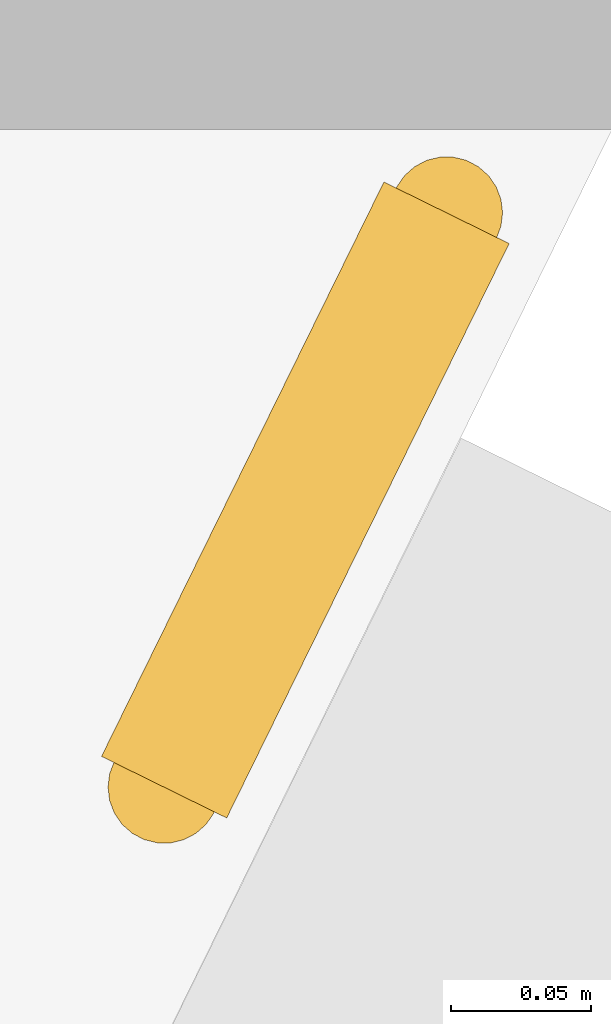
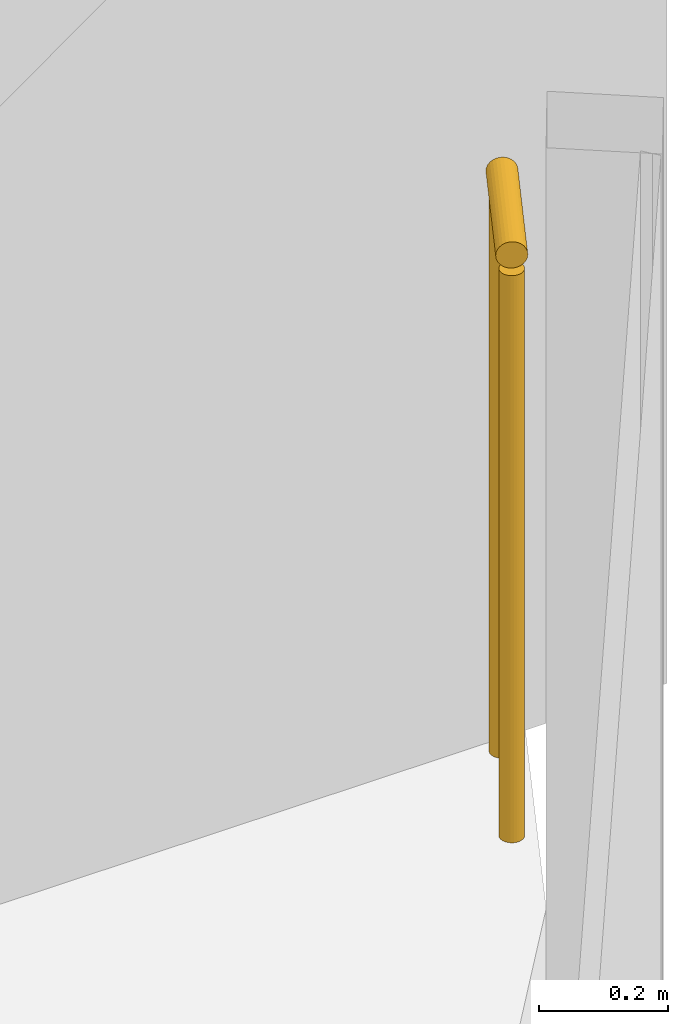
# One storey, part 35 of 38: 1 railing.
"""IFC4 building model written with IfcOpenShell, lengths in metres."""

from ifc_helpers import new_model, si_unit, direction, frame, origin, origin_2d, place, context, subcontext, project, spatial, circle, extrude, material, type_object, element, save


model = new_model("IFC4")

# Units and contexts
model_context = context("Model", 3, precision=1e-05, world=origin(), true_north=direction((0.0, 1.0)))
body_context = subcontext(model_context, "Body", "Model", "MODEL_VIEW")
ifc_project = project(units=[si_unit("LENGTHUNIT", "METRE"), si_unit("AREAUNIT", "SQUARE_METRE"), si_unit("VOLUMEUNIT", "CUBIC_METRE"), si_unit("PLANEANGLEUNIT", "RADIAN"), si_unit("MASSUNIT", "GRAM", prefix="KILO")], contexts=[model_context])

# Site, building, storey
site_placement = place(None, origin())
site = spatial("IfcSite", under=ifc_project, at=site_placement, CompositionType="ELEMENT")
building_placement = place(site_placement, origin())
building = spatial("IfcBuilding", under=site, at=building_placement, Name="Orlundy Tower", CompositionType="ELEMENT")
storey_placement = place(building_placement, frame((0.0, 0.0, 65.800048828125)))
storey = spatial("IfcBuildingStorey", under=building, at=storey_placement, Name="L15", CompositionType="ELEMENT", Elevation=65.800048828125)

# Railing
ifc_material = material(Name="Stainless steel bronze finish", Category="steel")
railing_type = type_object("IfcRailingType", Name="TG1 terrace guard", PredefinedType="GUARDRAIL", material=ifc_material)
railing_placement = place(storey_placement, frame((49.822021484375, -35.700927734375, 0.0)))
element("IfcRailing", 1, at=railing_placement, inside=storey, type_object=railing_type, Name="Guard TG-L15-E00", PredefinedType="GUARDRAIL", context=body_context, shape_type="SweptSolid", body=[
    extrude(circle(Radius=0.02490234375, at=origin_2d()), frame((0.0, 0.0, 1.09521484375), z_axis=(-0.441220934431, -0.897398510707, 0.0), x_axis=(0.897398510707, -0.441220934431, 0.0)), (0.0, 0.0, 1.0), 0.228515625),
    extrude(circle(Radius=0.02001953125, at=origin_2d()), origin(), (0.0, 0.0, 1.0), 1.070068359375),
    extrude(circle(Radius=0.02001953125, at=origin_2d()), frame((-0.100830078125, -0.205078125, 0.0)), (0.0, 0.0, 1.0), 1.070068359375),
])

save(model, "model.ifc")
